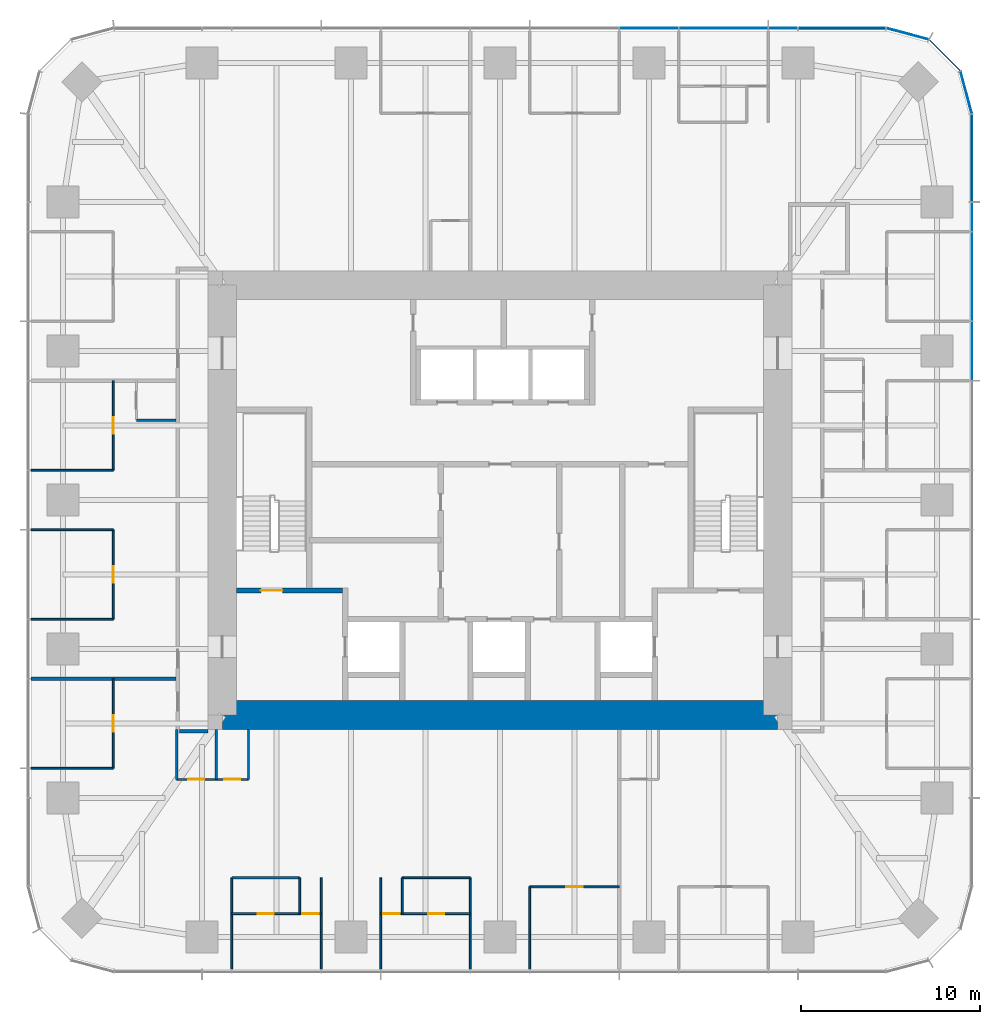
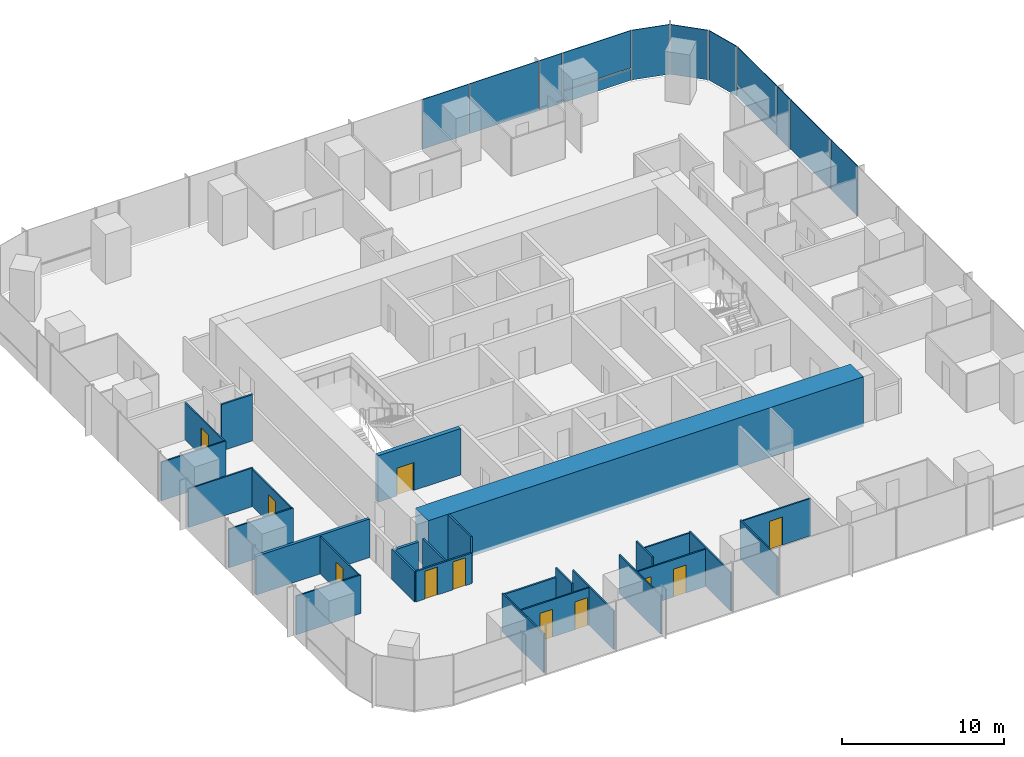
# One storey, part 8 of 12: 28 walls, 13 plates, 11 doors, 11 openings, 3 elements without a shape of their own.
"""IFC4 building model written with IfcOpenShell, lengths in metres."""

from ifc_helpers import new_model, si_unit, direction, frame, frame_2d, origin, origin_2d, place, context, subcontext, project, spatial, rectangle, extrude, material, layer, layer_set, type_object, element, fill, aggregate, save


model = new_model("IFC4")

# Units and contexts
model_context = context("Model", 3, precision=1e-05, world=origin(), true_north=direction((0.0, 1.0)))
body_context = subcontext(model_context, "Body", "Model", "MODEL_VIEW")
ifc_project = project(units=[si_unit("LENGTHUNIT", "METRE"), si_unit("AREAUNIT", "SQUARE_METRE"), si_unit("VOLUMEUNIT", "CUBIC_METRE"), si_unit("PLANEANGLEUNIT", "RADIAN"), si_unit("MASSUNIT", "GRAM", prefix="KILO")], contexts=[model_context])

# Site, building, storey
site_placement = place(None, origin())
site = spatial("IfcSite", under=ifc_project, at=site_placement, CompositionType="ELEMENT")
building_placement = place(site_placement, origin())
building = spatial("IfcBuilding", under=site, at=building_placement, Name="Khuree Lantern Residences", CompositionType="ELEMENT")
storey_placement = place(building_placement, frame((0.0, 0.0, 225.75)))
storey = spatial("IfcBuildingStorey", under=building, at=storey_placement, Name="L56", CompositionType="ELEMENT", Elevation=225.75)

# Curtain wall, plates
ifc_material_1 = material(Name="Bronze anodised aluminium", Category="aluminium")
curtain_wall_type_1 = type_object("IfcCurtainWallType", Name="CW-T2 TOWER CORNER CURTAIN WALL", PredefinedType="USERDEFINED", material=ifc_material_1)
curtain_wall_1_placement = place(storey_placement, origin())
curtain_wall_1 = element("IfcCurtainWall", 1, at=curtain_wall_1_placement, inside=storey, type_object=curtain_wall_type_1, Name="L56 NORTH-EAST CORNER CURTAIN WALL", ObjectType="Faceted corner curtain wall", PredefinedType="USERDEFINED")
ifc_material_2 = material(Name="Bronze tinted triple glazing", Category="glass")
ifc_layer_1 = layer(ifc_material_2, 0.048095703125)
ifc_layer_set_1 = layer_set([ifc_layer_1], Name="FACET PANEL P4")
plate_type_1 = type_object("IfcPlateType", Name="FACET PANEL P4", PredefinedType="CURTAIN_PANEL", material=ifc_layer_set_1)
plate_1_placement = place(storey_placement, frame((26.029052734375, 22.748046875, 0.0), z_axis=(0.0, 0.0, 1.0), x_axis=(-0.258819021888, 0.965925832509, 0.0)))
plate_1 = element("IfcPlate", 2, at=plate_1_placement, type_object=plate_type_1, Name="L56 NORTH-EAST CORNER PANEL 15.1", PredefinedType="CURTAIN_PANEL", context=body_context, shape_type="SweptSolid", body=[
    extrude(rectangle(XDim=2.40869140625, YDim=0.048095703125, at=origin_2d()), origin(), (0.0, 0.0, 1.0), 3.75),
])
plate_2_placement = place(storey_placement, frame((24.828369140625, 24.828369140625, 0.0), z_axis=(0.0, 0.0, 1.0), x_axis=(-0.707106781187, 0.707106781187, 0.0)))
plate_2 = element("IfcPlate", 3, at=plate_2_placement, type_object=plate_type_1, Name="L56 NORTH-EAST CORNER PANEL 16.1", PredefinedType="CURTAIN_PANEL", context=body_context, shape_type="SweptSolid", body=[
    extrude(rectangle(XDim=2.404541015625, YDim=0.048095703125, at=origin_2d()), origin(), (0.0, 0.0, 1.0), 3.75),
])
plate_3_placement = place(storey_placement, frame((22.748046875, 26.029052734375, 0.0), z_axis=(0.0, 0.0, 1.0), x_axis=(-0.965925832509, 0.258819021888, 0.0)))
plate_3 = element("IfcPlate", 4, at=plate_3_placement, type_object=plate_type_1, Name="L56 NORTH-EAST CORNER PANEL 17.1", PredefinedType="CURTAIN_PANEL", context=body_context, shape_type="SweptSolid", body=[
    extrude(rectangle(XDim=2.40869140625, YDim=0.048095703125, at=origin_2d()), origin(), (0.0, 0.0, 1.0), 3.75),
])
aggregate(curtain_wall_1, [plate_1, plate_2, plate_3])

# Curtain wall, plate
curtain_wall_type_2 = type_object("IfcCurtainWallType", Name="CW-T1 TOWER FACE CURTAIN WALL", PredefinedType="USERDEFINED", material=ifc_material_1)
curtain_wall_2_placement = place(storey_placement, origin())
curtain_wall_2 = element("IfcCurtainWall", 5, at=curtain_wall_2_placement, inside=storey, type_object=curtain_wall_type_2, Name="L56 EAST FACE CURTAIN WALL", ObjectType="Stick-built curtain wall", PredefinedType="USERDEFINED")
ifc_material_3 = material(Name="Bronze tinted triple glazing with a ceramic-fritted spandrel band", Category="glass")
ifc_layer_2 = layer(ifc_material_3, 0.048095703125)
ifc_layer_set_2 = layer_set([ifc_layer_2], Name="FIXED LIGHT PANEL P11")
plate_type_2 = type_object("IfcPlateType", Name="FIXED LIGHT PANEL P11", PredefinedType="CURTAIN_PANEL", material=ifc_layer_set_2)
plate_4_placement = place(storey_placement, frame((26.35009765625, 12.47998046875, 0.0), z_axis=(0.0, 0.0, 1.0), x_axis=(0.0, 1.0, 0.0)))
plate_4 = element("IfcPlate", 6, at=plate_4_placement, type_object=plate_type_2, Name="L56 EAST FACE PANEL 12.1", PredefinedType="CURTAIN_PANEL", context=body_context, shape_type="SweptSolid", body=[
    extrude(rectangle(XDim=4.927001953125, YDim=0.048095703125, at=origin_2d()), origin(), (0.0, 0.0, 1.0), 3.75),
])

curtain_wall_3_placement = place(storey_placement, origin())
curtain_wall_3 = element("IfcCurtainWall", 7, at=curtain_wall_3_placement, inside=storey, type_object=curtain_wall_type_2, Name="L56 NORTH FACE CURTAIN WALL", ObjectType="Stick-built curtain wall", PredefinedType="USERDEFINED")
plate_5_placement = place(storey_placement, frame((12.47998046875, 26.35009765625, 0.0), z_axis=(0.0, 0.0, 1.0), x_axis=(-1.0, 0.0, 0.0)))
plate_5 = element("IfcPlate", 8, at=plate_5_placement, type_object=plate_type_2, Name="L56 NORTH FACE PANEL 20.1", PredefinedType="CURTAIN_PANEL", context=body_context, shape_type="SweptSolid", body=[
    extrude(rectangle(XDim=4.927001953125, YDim=0.048095703125, at=origin_2d()), origin(), (0.0, 0.0, 1.0), 3.75),
])

# Plate
ifc_material_4 = material(Name="Bronze tinted triple glazing, two aluminium-framed sashes in one frame", Category="aluminium")
ifc_layer_3 = layer(ifc_material_4, 0.048095703125)
ifc_layer_set_3 = layer_set([ifc_layer_3], Name="SASH PAIR PANEL P12")
plate_type_3 = type_object("IfcPlateType", Name="SASH PAIR PANEL P12", PredefinedType="CURTAIN_PANEL", material=ifc_layer_set_3)
plate_6_placement = place(storey_placement, frame((26.35009765625, 8.320068359375, 0.0), z_axis=(0.0, 0.0, 1.0), x_axis=(0.0, 1.0, 0.0)))
plate_6 = element("IfcPlate", 9, at=plate_6_placement, type_object=plate_type_3, Name="L56 EAST FACE PANEL 11.1", PredefinedType="CURTAIN_PANEL", context=body_context, shape_type="SweptSolid", body=[
    extrude(rectangle(XDim=3.262939453125, YDim=0.048095703125, at=origin_2d()), origin(), (0.0, 0.0, 1.0), 3.75),
])

plate_7_placement = place(storey_placement, frame((8.320068359375, 26.35009765625, 0.0), z_axis=(0.0, 0.0, 1.0), x_axis=(-1.0, 0.0, 0.0)))
plate_7 = element("IfcPlate", 10, at=plate_7_placement, type_object=plate_type_3, Name="L56 NORTH FACE PANEL 21.1", PredefinedType="CURTAIN_PANEL", context=body_context, shape_type="SweptSolid", body=[
    extrude(rectangle(XDim=3.262939453125, YDim=0.048095703125, at=origin_2d()), origin(), (0.0, 0.0, 1.0), 3.75),
])

ifc_material_5 = material(Name="Bronze tinted triple glazing, aluminium-framed sash", Category="aluminium")
ifc_layer_4 = layer(ifc_material_5, 0.048095703125)
ifc_layer_set_4 = layer_set([ifc_layer_4], Name="SASH PANEL P3")
plate_type_4 = type_object("IfcPlateType", Name="SASH PANEL P3", PredefinedType="CURTAIN_PANEL", material=ifc_layer_set_4)
plate_8_placement = place(storey_placement, frame((26.35009765625, 15.80810546875, 0.0), z_axis=(0.0, 0.0, 1.0), x_axis=(0.0, 1.0, 0.0)))
plate_8 = element("IfcPlate", 11, at=plate_8_placement, type_object=plate_type_4, Name="L56 EAST FACE PANEL 13.1", PredefinedType="CURTAIN_PANEL", context=body_context, shape_type="SweptSolid", body=[
    extrude(rectangle(XDim=1.59912109375, YDim=0.048095703125, at=origin_2d()), origin(), (0.0, 0.0, 1.0), 3.75),
])

plate_9_placement = place(storey_placement, frame((15.80810546875, 26.35009765625, 0.0), z_axis=(0.0, 0.0, 1.0), x_axis=(-1.0, 0.0, 0.0)))
plate_9 = element("IfcPlate", 12, at=plate_9_placement, type_object=plate_type_4, Name="L56 NORTH FACE PANEL 19.1", PredefinedType="CURTAIN_PANEL", context=body_context, shape_type="SweptSolid", body=[
    extrude(rectangle(XDim=1.59912109375, YDim=0.048095703125, at=origin_2d()), origin(), (0.0, 0.0, 1.0), 3.75),
])

ifc_material_6 = material(Name="Bronze anodised aluminium insulated spandrel", Category="aluminium")
ifc_layer_5 = layer(ifc_material_6, 0.06005859375)
ifc_layer_set_5 = layer_set([ifc_layer_5], Name="SPANDREL PANEL P2")
plate_type_5 = type_object("IfcPlateType", Name="SPANDREL PANEL P2", PredefinedType="CURTAIN_PANEL", material=ifc_layer_set_5)
plate_10_placement = place(storey_placement, frame((26.35009765625, 19.0927734375, 0.0), z_axis=(0.0, 0.0, 1.0), x_axis=(0.0, 1.0, 0.0)))
plate_10 = element("IfcPlate", 13, at=plate_10_placement, type_object=plate_type_5, Name="L56 EAST FACE PANEL 14.1", PredefinedType="CURTAIN_PANEL", context=body_context, shape_type="SweptSolid", body=[
    extrude(rectangle(XDim=4.8408203125, YDim=0.06005859375, at=origin_2d()), origin(), (0.0, 0.0, 1.0), 0.867431640625),
])

plate_11_placement = place(storey_placement, frame((19.0927734375, 26.35009765625, 0.0), z_axis=(0.0, 0.0, 1.0), x_axis=(-1.0, 0.0, 0.0)))
plate_11 = element("IfcPlate", 14, at=plate_11_placement, type_object=plate_type_5, Name="L56 NORTH FACE PANEL 18.1", PredefinedType="CURTAIN_PANEL", context=body_context, shape_type="SweptSolid", body=[
    extrude(rectangle(XDim=4.8408203125, YDim=0.06005859375, at=origin_2d()), origin(), (0.0, 0.0, 1.0), 0.867431640625),
])

ifc_layer_6 = layer(ifc_material_2, 0.048095703125)
ifc_layer_set_6 = layer_set([ifc_layer_6], Name="VISION PANEL P1")
plate_type_6 = type_object("IfcPlateType", Name="VISION PANEL P1", PredefinedType="CURTAIN_PANEL", material=ifc_layer_set_6)
plate_12_placement = place(storey_placement, frame((26.35009765625, 19.09326171875, 0.9326171875), z_axis=(0.0, 0.0, 1.0), x_axis=(0.0, 1.0, 0.0)))
plate_12 = element("IfcPlate", 15, at=plate_12_placement, type_object=plate_type_6, Name="L56 EAST FACE PANEL 14.2", PredefinedType="CURTAIN_PANEL", context=body_context, shape_type="SweptSolid", body=[
    extrude(rectangle(XDim=4.841552734375, YDim=0.048095703125, at=origin_2d()), origin(), (0.0, 0.0, 1.0), 2.8173828125),
])

aggregate(curtain_wall_2, [plate_6, plate_4, plate_8, plate_10, plate_12])

plate_13_placement = place(storey_placement, frame((19.09326171875, 26.35009765625, 0.9326171875), z_axis=(0.0, 0.0, 1.0), x_axis=(-1.0, 0.0, 0.0)))
plate_13 = element("IfcPlate", 16, at=plate_13_placement, type_object=plate_type_6, Name="L56 NORTH FACE PANEL 18.2", PredefinedType="CURTAIN_PANEL", context=body_context, shape_type="SweptSolid", body=[
    extrude(rectangle(XDim=4.841552734375, YDim=0.048095703125, at=origin_2d()), origin(), (0.0, 0.0, 1.0), 2.8173828125),
])

aggregate(curtain_wall_3, [plate_11, plate_13, plate_9, plate_5, plate_7])

# Walls
ifc_material_7 = material(Name="Moisture-resistant gypsum board on steel studs", Category="steel")
ifc_layer_7 = layer(ifc_material_7, 0.125)
ifc_layer_set_7 = layer_set([ifc_layer_7], Name="BATHROOM WALL BTW125")
wall_type_1 = type_object("IfcWallType", Name="BATHROOM WALL BTW125", PredefinedType="PARTITIONING", material=ifc_layer_set_7)
wall_1_placement = place(storey_placement, frame((-18.10009765625, 4.4560546875, 0.0), z_axis=(0.0, 0.0, 1.0), x_axis=(-1.0, 0.0, 0.0)))
element("IfcWall", 17, at=wall_1_placement, inside=storey, type_object=wall_type_1, Name="L56 BATHROOM WALL 04", PredefinedType="PARTITIONING", context=body_context, shape_type="SweptSolid", body=[
    extrude(rectangle(XDim=2.199951171875, YDim=0.125, at=frame_2d((1.10009765625, 0.0))), origin(), (0.0, 0.0, 1.0), 3.5),
])
wall_2_placement = place(storey_placement, frame((-14.97607421875, -21.094970703125, 0.0), z_axis=(0.0, 0.0, 1.0), x_axis=(1.0, 0.0, 0.0)))
element("IfcWall", 18, at=wall_2_placement, inside=storey, type_object=wall_type_1, Name="L56 BATHROOM WALL 05", PredefinedType="PARTITIONING", context=body_context, shape_type="SweptSolid", body=[
    extrude(rectangle(XDim=3.7919921875, YDim=0.125, at=frame_2d((1.89599609375, 0.0))), origin(), (0.0, 0.0, 1.0), 2.81005859375),
])

# Wall, openings, doors
wall_3_placement = place(storey_placement, frame((-18.050048828125, -15.60009765625, 0.0), z_axis=(0.0, 0.0, 1.0), x_axis=(1.0, 0.0, 0.0)))
wall_3 = element("IfcWall", 19, at=wall_3_placement, inside=storey, type_object=wall_type_1, Name="L56 BATHROOM WALL 05", PredefinedType="PARTITIONING", context=body_context, shape_type="SweptSolid", body=[
    extrude(rectangle(XDim=4.0, YDim=0.125, at=frame_2d((2.0, 0.0))), origin(), (0.0, 0.0, 1.0), 2.300048828125),
])
opening_1_placement = place(wall_3_placement, frame((0.64990234375, 0.0, 0.0)))
opening_1 = element("IfcOpeningElement", 20, at=opening_1_placement, cuts=wall_3, Name="Opening 56-048", PredefinedType="OPENING", context=body_context, shape_type="SweptSolid", body=[
    extrude(rectangle(XDim=0.89990234375, YDim=2.10009765625, at=frame_2d((0.449951171875, 1.050048828125))), frame((0.0, 0.072509765625, 0.0), z_axis=(0.0, -1.0, 0.0), x_axis=(1.0, 0.0, 0.0)), (0.0, 0.0, 1.0), 0.14501953125),
])
opening_2_placement = place(wall_3_placement, frame((2.64990234375, 0.0, 0.0)))
opening_2 = element("IfcOpeningElement", 21, at=opening_2_placement, cuts=wall_3, Name="Opening 56-049", PredefinedType="OPENING", context=body_context, shape_type="SweptSolid", body=[
    extrude(rectangle(XDim=0.89990234375, YDim=2.10009765625, at=frame_2d((0.449951171875, 1.050048828125))), frame((0.0, 0.072509765625, 0.0), z_axis=(0.0, -1.0, 0.0), x_axis=(1.0, 0.0, 0.0)), (0.0, 0.0, 1.0), 0.14501953125),
])
ifc_material_8 = material(Name="Timber door leaf in hardwood frame", Category="wood")
door_type_1 = type_object("IfcDoorType", Name="BATHROOM DOOR 900X2100", OperationType="SINGLE_SWING_LEFT", PredefinedType="DOOR", material=ifc_material_8)
door_1_placement = place(opening_1_placement, origin())
door_1 = element("IfcDoor", 22, at=door_1_placement, inside=storey, type_object=door_type_1, Name="Bathroom door 56-048", OperationType="SINGLE_SWING_LEFT", OverallHeight=2.10009765625, OverallWidth=0.89990234375, PredefinedType="DOOR", context=body_context, shape_type="SweptSolid", body=[
    extrude(rectangle(XDim=0.89990234375, YDim=2.10009765625, at=frame_2d((0.449951171875, 1.050048828125))), frame((0.0, 0.02490234375, 0.0), z_axis=(0.0, -1.0, 0.0), x_axis=(1.0, 0.0, 0.0)), (0.0, 0.0, 1.0), 0.050048828125),
])
fill(opening_1, door_1)
door_type_2 = type_object("IfcDoorType", Name="DOOR 900X2100", OperationType="SINGLE_SWING_LEFT", PredefinedType="DOOR", material=ifc_material_8)
door_2_placement = place(opening_2_placement, origin())
door_2 = element("IfcDoor", 23, at=door_2_placement, inside=storey, type_object=door_type_2, Name="Store door 56-049", OperationType="SINGLE_SWING_LEFT", OverallHeight=2.10009765625, OverallWidth=0.89990234375, PredefinedType="DOOR", context=body_context, shape_type="SweptSolid", body=[
    extrude(rectangle(XDim=0.89990234375, YDim=2.10009765625, at=frame_2d((0.449951171875, 1.050048828125))), frame((0.0, 0.02490234375, 0.0), z_axis=(0.0, -1.0, 0.0), x_axis=(1.0, 0.0, 0.0)), (0.0, 0.0, 1.0), 0.050048828125),
])
fill(opening_2, door_2)

# Walls
for number, where, z_axis, x_axis, name in (
    (24, (-18.050048828125, -12.800048828125, 0.0), (0.0, 0.0, 1.0), (0.0, -1.0, 0.0), "L56 BATHROOM WALL 05"),
    (25, (-15.85009765625, -12.800048828125, 0.0), (0.0, 0.0, 1.0), (0.0, -1.0, 0.0), "L56 BATHROOM WALL 05"),
):
    element("IfcWall", number, at=place(storey_placement, frame(where, z_axis=z_axis, x_axis=x_axis)), inside=storey, type_object=wall_type_1, Name=name, PredefinedType="PARTITIONING", context=body_context, shape_type="SweptSolid", body=[
        extrude(rectangle(XDim=2.800048828125, YDim=0.125, at=frame_2d((1.39990234375, 0.0))), origin(), (0.0, 0.0, 1.0), 2.300048828125),
    ])
wall_4_placement = place(storey_placement, frame((-14.050048828125, -12.800048828125, 0.0), z_axis=(0.0, 0.0, 1.0), x_axis=(0.0, -1.0, 0.0)))
element("IfcWall", 26, at=wall_4_placement, inside=storey, type_object=wall_type_1, Name="L56 BATHROOM WALL 05", PredefinedType="PARTITIONING", context=body_context, shape_type="SweptSolid", body=[
    extrude(rectangle(XDim=2.800048828125, YDim=0.125, at=frame_2d((1.39990234375, 0.0))), origin(), (0.0, 0.0, 1.0), 3.5),
])
ifc_material_9 = material(Name="Gypsum board on steel studs", Category="steel")
ifc_layer_8 = layer(ifc_material_9, 0.199951171875)
ifc_layer_set_8 = layer_set([ifc_layer_8], Name="CORRIDOR WALL CRW200 EI 60")
wall_type_2 = type_object("IfcWallType", Name="CORRIDOR WALL CRW200 EI 60", PredefinedType="PARTITIONING", material=ifc_layer_set_8)
wall_5_placement = place(storey_placement, frame((-16.300048828125, -12.89990234375, 0.0), z_axis=(0.0, 0.0, 1.0), x_axis=(-1.0, 0.0, 0.0)))
element("IfcWall", 27, at=wall_5_placement, inside=storey, type_object=wall_type_2, Name="L56 WEST CORRIDOR SOUTH END WALL", PredefinedType="PARTITIONING", context=body_context, shape_type="SweptSolid", body=[
    extrude(rectangle(XDim=1.599853515625, YDim=0.199951171875, at=frame_2d((0.7998046875, 0.0))), origin(), (0.0, 0.0, 1.0), 2.300048828125),
])
ifc_material_10 = material(Name="Concrete C50/60", Category="concrete")
ifc_layer_9 = layer(ifc_material_10, 1.60009765625)
ifc_layer_set_9 = layer_set([ifc_layer_9], Name="CW1600-C50 CORE WALL C50 1600")
wall_type_3 = type_object("IfcWallType", Name="CW1600-C50 CORE WALL C50 1600", PredefinedType="SHEAR", material=ifc_layer_set_9)
wall_6_placement = place(storey_placement, frame((-15.5, -12.0, -0.25), z_axis=(0.0, 0.0, 1.0), x_axis=(1.0, 0.0, 0.0)))
element("IfcWall", 28, at=wall_6_placement, inside=storey, type_object=wall_type_3, Name="Core wall S", PredefinedType="SHEAR", context=body_context, shape_type="SweptSolid", body=[
    extrude(rectangle(XDim=31.0, YDim=1.60009765625, at=frame_2d((15.5, 0.0))), origin(), (0.0, 0.0, 1.0), 3.75),
])
ifc_layer_10 = layer(ifc_material_9, 0.199951171875)
ifc_layer_set_10 = layer_set([ifc_layer_10], Name="DEMISING WALL DMW200 EI 90")
wall_type_4 = type_object("IfcWallType", Name="DEMISING WALL DMW200 EI 90", PredefinedType="PARTITIONING", material=ifc_layer_set_10)
wall_7_placement = place(storey_placement, frame((-18.10009765625, -9.98388671875, 0.0), z_axis=(0.0, 0.0, 1.0), x_axis=(-1.0, 0.0, 0.0)))
element("IfcWall", 29, at=wall_7_placement, inside=storey, type_object=wall_type_4, Name="L56 DEMISING WALL 05", PredefinedType="PARTITIONING", context=body_context, shape_type="SweptSolid", body=[
    extrude(rectangle(XDim=8.099853515625, YDim=0.199951171875, at=frame_2d((4.0498046875, 0.0))), origin(), (0.0, 0.0, 1.0), 2.909912109375),
])
ifc_layer_11 = layer(ifc_material_9, 0.10009765625)
ifc_layer_set_11 = layer_set([ifc_layer_11], Name="PARTITION PT100")
wall_type_5 = type_object("IfcWallType", Name="PARTITION PT100", PredefinedType="PARTITIONING", material=ifc_layer_set_11)
for number, where, z_axis, x_axis, name in (
    (30, (-21.60009765625, 1.6640625, 0.0), (0.0, 0.0, 1.0), (-1.0, 0.0, 0.0), "L56 PARTITION 04"),
    (31, (-21.60009765625, -1.6640625, 0.0), (0.0, 0.0, 1.0), (-1.0, 0.0, 0.0), "L56 PARTITION 04"),
    (32, (-21.60009765625, -6.656005859375, 0.0), (0.0, 0.0, 1.0), (-1.0, 0.0, 0.0), "L56 PARTITION 04"),
    (33, (-21.60009765625, -14.97607421875, 0.0), (0.0, 0.0, 1.0), (-1.0, 0.0, 0.0), "L56 PARTITION 05"),
):
    element("IfcWall", number, at=place(storey_placement, frame(where, z_axis=z_axis, x_axis=x_axis)), inside=storey, type_object=wall_type_5, Name=name, PredefinedType="PARTITIONING", context=body_context, shape_type="SweptSolid", body=[
        extrude(rectangle(XDim=4.599853515625, YDim=0.10009765625, at=frame_2d((2.2998046875, 0.0))), origin(), (0.0, 0.0, 1.0), 2.909912109375),
    ])
for number, where, z_axis, x_axis, name in (
    (34, (-14.97607421875, -21.094970703125, 0.0), (0.0, 0.0, 1.0), (0.0, -1.0, 0.0), "L56 PARTITION 05"),
    (35, (-9.98388671875, -21.094970703125, 0.0), (0.0, 0.0, 1.0), (0.0, -1.0, 0.0), "L56 PARTITION 05"),
    (36, (-6.656005859375, -21.094970703125, 0.0), (0.0, 0.0, 1.0), (0.0, -1.0, 0.0), "L56 PARTITION 05"),
    (37, (-1.6640625, -21.094970703125, 0.0), (0.0, 0.0, 1.0), (0.0, -1.0, 0.0), "L56 PARTITION 05"),
):
    element("IfcWall", number, at=place(storey_placement, frame(where, z_axis=z_axis, x_axis=x_axis)), inside=storey, type_object=wall_type_5, Name=name, PredefinedType="PARTITIONING", context=body_context, shape_type="SweptSolid", body=[
        extrude(rectangle(XDim=5.10498046875, YDim=0.10009765625, at=frame_2d((2.552490234375, 0.0))), origin(), (0.0, 0.0, 1.0), 2.909912109375),
    ])
wall_8_placement = place(storey_placement, frame((1.6640625, -21.60009765625, 0.0), z_axis=(0.0, 0.0, 1.0), x_axis=(0.0, -1.0, 0.0)))
element("IfcWall", 38, at=wall_8_placement, inside=storey, type_object=wall_type_5, Name="L56 PARTITION 05", PredefinedType="PARTITIONING", context=body_context, shape_type="SweptSolid", body=[
    extrude(rectangle(XDim=4.599853515625, YDim=0.10009765625, at=frame_2d((2.2998046875, 0.0))), origin(), (0.0, 0.0, 1.0), 2.909912109375),
])

# Wall, opening, door
wall_9_placement = place(storey_placement, frame((-21.60009765625, 6.656005859375, 0.0), z_axis=(0.0, 0.0, 1.0), x_axis=(0.0, -1.0, 0.0)))
wall_9 = element("IfcWall", 39, at=wall_9_placement, inside=storey, type_object=wall_type_5, Name="L56 PARTITION 04", PredefinedType="PARTITIONING", context=body_context, shape_type="SweptSolid", body=[
    extrude(rectangle(XDim=4.991943359375, YDim=0.10009765625, at=frame_2d((2.49609375, 0.0))), origin(), (0.0, 0.0, 1.0), 2.81005859375),
])
opening_3_placement = place(wall_9_placement, frame((2.0458984375, 0.0, 0.0)))
opening_3 = element("IfcOpeningElement", 40, at=opening_3_placement, cuts=wall_9, Name="Opening 56-038", PredefinedType="OPENING", context=body_context, shape_type="SweptSolid", body=[
    extrude(rectangle(XDim=0.89990234375, YDim=2.10009765625, at=frame_2d((0.449951171875, 1.050048828125))), frame((0.0, 0.06005859375, 0.0), z_axis=(0.0, -1.0, 0.0), x_axis=(1.0, 0.0, 0.0)), (0.0, 0.0, 1.0), 0.1201171875),
])
door_type_3 = type_object("IfcDoorType", Name="BEDROOM DOOR 900X2100", OperationType="SINGLE_SWING_LEFT", PredefinedType="DOOR", material=ifc_material_8)
door_3_placement = place(opening_3_placement, origin())
door_3 = element("IfcDoor", 41, at=door_3_placement, inside=storey, type_object=door_type_3, Name="Bedroom door 56-038", OperationType="SINGLE_SWING_LEFT", OverallHeight=2.10009765625, OverallWidth=0.89990234375, PredefinedType="DOOR", context=body_context, shape_type="SweptSolid", body=[
    extrude(rectangle(XDim=0.89990234375, YDim=2.10009765625, at=frame_2d((0.449951171875, 1.050048828125))), frame((0.0, 0.02490234375, 0.0), z_axis=(0.0, -1.0, 0.0), x_axis=(1.0, 0.0, 0.0)), (0.0, 0.0, 1.0), 0.050048828125),
])
fill(opening_3, door_3)

wall_10_placement = place(storey_placement, frame((-21.60009765625, -1.6640625, 0.0), z_axis=(0.0, 0.0, 1.0), x_axis=(0.0, -1.0, 0.0)))
wall_10 = element("IfcWall", 42, at=wall_10_placement, inside=storey, type_object=wall_type_5, Name="L56 PARTITION 04", PredefinedType="PARTITIONING", context=body_context, shape_type="SweptSolid", body=[
    extrude(rectangle(XDim=4.991943359375, YDim=0.10009765625, at=frame_2d((2.49609375, 0.0))), origin(), (0.0, 0.0, 1.0), 2.81005859375),
])
opening_4_placement = place(wall_10_placement, frame((2.0458984375, 0.0, 0.0)))
opening_4 = element("IfcOpeningElement", 43, at=opening_4_placement, cuts=wall_10, Name="Opening 56-039", PredefinedType="OPENING", context=body_context, shape_type="SweptSolid", body=[
    extrude(rectangle(XDim=0.89990234375, YDim=2.10009765625, at=frame_2d((0.449951171875, 1.050048828125))), frame((0.0, 0.06005859375, 0.0), z_axis=(0.0, -1.0, 0.0), x_axis=(1.0, 0.0, 0.0)), (0.0, 0.0, 1.0), 0.1201171875),
])
door_4_placement = place(opening_4_placement, origin())
door_4 = element("IfcDoor", 44, at=door_4_placement, inside=storey, type_object=door_type_3, Name="Bedroom door 56-039", OperationType="SINGLE_SWING_LEFT", OverallHeight=2.10009765625, OverallWidth=0.89990234375, PredefinedType="DOOR", context=body_context, shape_type="SweptSolid", body=[
    extrude(rectangle(XDim=0.89990234375, YDim=2.10009765625, at=frame_2d((0.449951171875, 1.050048828125))), frame((0.0, 0.02490234375, 0.0), z_axis=(0.0, -1.0, 0.0), x_axis=(1.0, 0.0, 0.0)), (0.0, 0.0, 1.0), 0.050048828125),
])
fill(opening_4, door_4)

wall_11_placement = place(storey_placement, frame((-21.60009765625, -9.98388671875, 0.0), z_axis=(0.0, 0.0, 1.0), x_axis=(0.0, -1.0, 0.0)))
wall_11 = element("IfcWall", 45, at=wall_11_placement, inside=storey, type_object=wall_type_5, Name="L56 PARTITION 05", PredefinedType="PARTITIONING", context=body_context, shape_type="SweptSolid", body=[
    extrude(rectangle(XDim=4.9921875, YDim=0.10009765625, at=frame_2d((2.49609375, 0.0))), origin(), (0.0, 0.0, 1.0), 2.81005859375),
])
opening_5_placement = place(wall_11_placement, frame((2.0458984375, 0.0, 0.0)))
opening_5 = element("IfcOpeningElement", 46, at=opening_5_placement, cuts=wall_11, Name="Opening 56-042", PredefinedType="OPENING", context=body_context, shape_type="SweptSolid", body=[
    extrude(rectangle(XDim=0.89990234375, YDim=2.10009765625, at=frame_2d((0.449951171875, 1.050048828125))), frame((0.0, 0.06005859375, 0.0), z_axis=(0.0, -1.0, 0.0), x_axis=(1.0, 0.0, 0.0)), (0.0, 0.0, 1.0), 0.1201171875),
])
door_5_placement = place(opening_5_placement, origin())
door_5 = element("IfcDoor", 47, at=door_5_placement, inside=storey, type_object=door_type_3, Name="Bedroom door 56-042", OperationType="SINGLE_SWING_LEFT", OverallHeight=2.10009765625, OverallWidth=0.89990234375, PredefinedType="DOOR", context=body_context, shape_type="SweptSolid", body=[
    extrude(rectangle(XDim=0.89990234375, YDim=2.10009765625, at=frame_2d((0.449951171875, 1.050048828125))), frame((0.0, 0.02490234375, 0.0), z_axis=(0.0, -1.0, 0.0), x_axis=(1.0, 0.0, 0.0)), (0.0, 0.0, 1.0), 0.050048828125),
])
fill(opening_5, door_5)

# Wall, openings, doors
wall_12_placement = place(storey_placement, frame((-14.97607421875, -23.094970703125, 0.0), z_axis=(0.0, 0.0, 1.0), x_axis=(1.0, 0.0, 0.0)))
wall_12 = element("IfcWall", 48, at=wall_12_placement, inside=storey, type_object=wall_type_5, Name="L56 PARTITION 05", PredefinedType="PARTITIONING", context=body_context, shape_type="SweptSolid", body=[
    extrude(rectangle(XDim=4.9921875, YDim=0.10009765625, at=frame_2d((2.49609375, 0.0))), origin(), (0.0, 0.0, 1.0), 2.81005859375),
])
opening_6_placement = place(wall_12_placement, frame((3.94189453125, 0.0, 0.0)))
opening_6 = element("IfcOpeningElement", 49, at=opening_6_placement, cuts=wall_12, Name="Opening 56-043", PredefinedType="OPENING", context=body_context, shape_type="SweptSolid", body=[
    extrude(rectangle(XDim=0.89990234375, YDim=2.10009765625, at=frame_2d((0.449951171875, 1.050048828125))), frame((0.0, 0.06005859375, 0.0), z_axis=(0.0, -1.0, 0.0), x_axis=(1.0, 0.0, 0.0)), (0.0, 0.0, 1.0), 0.1201171875),
])
opening_7_placement = place(wall_12_placement, frame((1.446044921875, 0.0, 0.0)))
opening_7 = element("IfcOpeningElement", 50, at=opening_7_placement, cuts=wall_12, Name="Opening 56-044", PredefinedType="OPENING", context=body_context, shape_type="SweptSolid", body=[
    extrude(rectangle(XDim=0.89990234375, YDim=2.10009765625, at=frame_2d((0.449951171875, 1.050048828125))), frame((0.0, 0.06005859375, 0.0), z_axis=(0.0, -1.0, 0.0), x_axis=(1.0, 0.0, 0.0)), (0.0, 0.0, 1.0), 0.1201171875),
])
door_6_placement = place(opening_7_placement, origin())
door_6 = element("IfcDoor", 51, at=door_6_placement, inside=storey, type_object=door_type_1, Name="Bathroom door 56-044", OperationType="SINGLE_SWING_LEFT", OverallHeight=2.10009765625, OverallWidth=0.89990234375, PredefinedType="DOOR", context=body_context, shape_type="SweptSolid", body=[
    extrude(rectangle(XDim=0.89990234375, YDim=2.10009765625, at=frame_2d((0.449951171875, 1.050048828125))), frame((0.0, 0.02490234375, 0.0), z_axis=(0.0, -1.0, 0.0), x_axis=(1.0, 0.0, 0.0)), (0.0, 0.0, 1.0), 0.050048828125),
])
fill(opening_7, door_6)
door_7_placement = place(opening_6_placement, origin())
door_7 = element("IfcDoor", 52, at=door_7_placement, inside=storey, type_object=door_type_3, Name="Bedroom door 56-043", OperationType="SINGLE_SWING_LEFT", OverallHeight=2.10009765625, OverallWidth=0.89990234375, PredefinedType="DOOR", context=body_context, shape_type="SweptSolid", body=[
    extrude(rectangle(XDim=0.89990234375, YDim=2.10009765625, at=frame_2d((0.449951171875, 1.050048828125))), frame((0.0, 0.02490234375, 0.0), z_axis=(0.0, -1.0, 0.0), x_axis=(1.0, 0.0, 0.0)), (0.0, 0.0, 1.0), 0.050048828125),
])
fill(opening_6, door_7)

# Wall
wall_13_placement = place(storey_placement, frame((-11.18408203125, -21.094970703125, 0.0), z_axis=(0.0, 0.0, 1.0), x_axis=(0.0, -1.0, 0.0)))
element("IfcWall", 53, at=wall_13_placement, inside=storey, type_object=wall_type_5, Name="L56 PARTITION 05", PredefinedType="PARTITIONING", context=body_context, shape_type="SweptSolid", body=[
    extrude(rectangle(XDim=2.0, YDim=0.10009765625, at=frame_2d((1.0, 0.0))), origin(), (0.0, 0.0, 1.0), 3.5),
])

# Wall, openings, doors
wall_14_placement = place(storey_placement, frame((-6.656005859375, -23.094970703125, 0.0), z_axis=(0.0, 0.0, 1.0), x_axis=(1.0, 0.0, 0.0)))
wall_14 = element("IfcWall", 54, at=wall_14_placement, inside=storey, type_object=wall_type_5, Name="L56 PARTITION 05", PredefinedType="PARTITIONING", context=body_context, shape_type="SweptSolid", body=[
    extrude(rectangle(XDim=4.991943359375, YDim=0.10009765625, at=frame_2d((2.49609375, 0.0))), origin(), (0.0, 0.0, 1.0), 2.81005859375),
])
opening_8_placement = place(wall_14_placement, frame((0.14990234375, 0.0, 0.0)))
opening_8 = element("IfcOpeningElement", 55, at=opening_8_placement, cuts=wall_14, Name="Opening 56-045", PredefinedType="OPENING", context=body_context, shape_type="SweptSolid", body=[
    extrude(rectangle(XDim=0.89990234375, YDim=2.10009765625, at=frame_2d((0.449951171875, 1.050048828125))), frame((0.0, 0.06005859375, 0.0), z_axis=(0.0, -1.0, 0.0), x_axis=(1.0, 0.0, 0.0)), (0.0, 0.0, 1.0), 0.1201171875),
])
opening_9_placement = place(wall_14_placement, frame((2.64599609375, 0.0, 0.0)))
opening_9 = element("IfcOpeningElement", 56, at=opening_9_placement, cuts=wall_14, Name="Opening 56-046", PredefinedType="OPENING", context=body_context, shape_type="SweptSolid", body=[
    extrude(rectangle(XDim=0.89990234375, YDim=2.10009765625, at=frame_2d((0.449951171875, 1.050048828125))), frame((0.0, 0.06005859375, 0.0), z_axis=(0.0, -1.0, 0.0), x_axis=(1.0, 0.0, 0.0)), (0.0, 0.0, 1.0), 0.1201171875),
])
door_8_placement = place(opening_8_placement, origin())
door_8 = element("IfcDoor", 57, at=door_8_placement, inside=storey, type_object=door_type_3, Name="Bedroom door 56-045", OperationType="SINGLE_SWING_LEFT", OverallHeight=2.10009765625, OverallWidth=0.89990234375, PredefinedType="DOOR", context=body_context, shape_type="SweptSolid", body=[
    extrude(rectangle(XDim=0.89990234375, YDim=2.10009765625, at=frame_2d((0.449951171875, 1.050048828125))), frame((0.0, 0.02490234375, 0.0), z_axis=(0.0, -1.0, 0.0), x_axis=(1.0, 0.0, 0.0)), (0.0, 0.0, 1.0), 0.050048828125),
])
fill(opening_8, door_8)
door_9_placement = place(opening_9_placement, origin())
door_9 = element("IfcDoor", 58, at=door_9_placement, inside=storey, type_object=door_type_2, Name="Wardrobe door 56-046", OperationType="SINGLE_SWING_LEFT", OverallHeight=2.10009765625, OverallWidth=0.89990234375, PredefinedType="DOOR", context=body_context, shape_type="SweptSolid", body=[
    extrude(rectangle(XDim=0.89990234375, YDim=2.10009765625, at=frame_2d((0.449951171875, 1.050048828125))), frame((0.0, 0.02490234375, 0.0), z_axis=(0.0, -1.0, 0.0), x_axis=(1.0, 0.0, 0.0)), (0.0, 0.0, 1.0), 0.050048828125),
])
fill(opening_9, door_9)

# Walls
wall_15_placement = place(storey_placement, frame((-5.4560546875, -21.094970703125, 0.0), z_axis=(0.0, 0.0, 1.0), x_axis=(0.0, -1.0, 0.0)))
element("IfcWall", 59, at=wall_15_placement, inside=storey, type_object=wall_type_5, Name="L56 PARTITION 05", PredefinedType="PARTITIONING", context=body_context, shape_type="SweptSolid", body=[
    extrude(rectangle(XDim=2.0, YDim=0.10009765625, at=frame_2d((1.0, 0.0))), origin(), (0.0, 0.0, 1.0), 3.5),
])
wall_16_placement = place(storey_placement, frame((-5.4560546875, -21.094970703125, 0.0), z_axis=(0.0, 0.0, 1.0), x_axis=(1.0, 0.0, 0.0)))
element("IfcWall", 60, at=wall_16_placement, inside=storey, type_object=wall_type_5, Name="L56 PARTITION 05", PredefinedType="PARTITIONING", context=body_context, shape_type="SweptSolid", body=[
    extrude(rectangle(XDim=3.7919921875, YDim=0.10009765625, at=frame_2d((1.89599609375, 0.0))), origin(), (0.0, 0.0, 1.0), 2.81005859375),
])

# Wall, opening, door
wall_17_placement = place(storey_placement, frame((1.6640625, -21.60009765625, 0.0), z_axis=(0.0, 0.0, 1.0), x_axis=(1.0, 0.0, 0.0)))
wall_17 = element("IfcWall", 61, at=wall_17_placement, inside=storey, type_object=wall_type_5, Name="L56 PARTITION 05", PredefinedType="PARTITIONING", context=body_context, shape_type="SweptSolid", body=[
    extrude(rectangle(XDim=4.991943359375, YDim=0.10009765625, at=frame_2d((2.49609375, 0.0))), origin(), (0.0, 0.0, 1.0), 2.81005859375),
])
opening_10_placement = place(wall_17_placement, frame((2.0458984375, 0.0, 0.0)))
opening_10 = element("IfcOpeningElement", 62, at=opening_10_placement, cuts=wall_17, Name="Opening 56-047", PredefinedType="OPENING", context=body_context, shape_type="SweptSolid", body=[
    extrude(rectangle(XDim=0.89990234375, YDim=2.10009765625, at=frame_2d((0.449951171875, 1.050048828125))), frame((0.0, 0.06005859375, 0.0), z_axis=(0.0, -1.0, 0.0), x_axis=(1.0, 0.0, 0.0)), (0.0, 0.0, 1.0), 0.1201171875),
])
door_type_4 = type_object("IfcDoorType", Name="BEDROOM DOOR 900X2100 RIGHT HAND", OperationType="SINGLE_SWING_RIGHT", PredefinedType="DOOR", material=ifc_material_8)
door_10_placement = place(opening_10_placement, origin())
door_10 = element("IfcDoor", 63, at=door_10_placement, inside=storey, type_object=door_type_4, Name="Bedroom door 56-047", OperationType="SINGLE_SWING_RIGHT", OverallHeight=2.10009765625, OverallWidth=0.89990234375, PredefinedType="DOOR", context=body_context, shape_type="SweptSolid", body=[
    extrude(rectangle(XDim=0.89990234375, YDim=2.10009765625, at=frame_2d((0.449951171875, 1.050048828125))), frame((0.0, 0.02490234375, 0.0), z_axis=(0.0, -1.0, 0.0), x_axis=(1.0, 0.0, 0.0)), (0.0, 0.0, 1.0), 0.050048828125),
])
fill(opening_10, door_10)

ifc_layer_12 = layer(ifc_material_10, 0.300048828125)
ifc_layer_set_12 = layer_set([ifc_layer_12], Name="STAIR WALL SRW300 C50/60 REI 240")
wall_type_6 = type_object("IfcWallType", Name="STAIR WALL SRW300 C50/60 REI 240", PredefinedType="SOLIDWALL", material=ifc_layer_set_12)
wall_18_placement = place(storey_placement, frame((-14.699951171875, -5.050048828125, 0.0), z_axis=(0.0, 0.0, 1.0), x_axis=(1.0, 0.0, 0.0)))
wall_18 = element("IfcWall", 64, at=wall_18_placement, inside=storey, type_object=wall_type_6, Name="L56 STAIR WALL ST1S", PredefinedType="SOLIDWALL", context=body_context, shape_type="SweptSolid", body=[
    extrude(rectangle(XDim=5.89990234375, YDim=0.300048828125, at=frame_2d((2.949951171875, 0.0))), origin(), (0.0, 0.0, 1.0), 3.5),
])
opening_11_placement = place(wall_18_placement, frame((1.35009765625, 0.0, 0.0)))
opening_11 = element("IfcOpeningElement", 65, at=opening_11_placement, cuts=wall_18, Name="Opening 56-001", PredefinedType="OPENING", context=body_context, shape_type="SweptSolid", body=[
    extrude(rectangle(XDim=1.199951171875, YDim=2.10009765625, at=frame_2d((0.60009765625, 1.050048828125))), frame((0.0, 0.16015625, 0.0), z_axis=(0.0, -1.0, 0.0), x_axis=(1.0, 0.0, 0.0)), (0.0, 0.0, 1.0), 0.320068359375),
])
ifc_material_11 = material(Name="Steel door leaf in steel frame", Category="steel")
door_type_5 = type_object("IfcDoorType", Name="STAIR DOOR 1200X2100 EI 120", OperationType="SINGLE_SWING_LEFT", PredefinedType="DOOR", material=ifc_material_11)
door_11_placement = place(opening_11_placement, origin())
door_11 = element("IfcDoor", 66, at=door_11_placement, inside=storey, type_object=door_type_5, Name="Stair ST1 door 56-001", OperationType="SINGLE_SWING_LEFT", OverallHeight=2.10009765625, OverallWidth=1.199951171875, PredefinedType="DOOR", context=body_context, shape_type="SweptSolid", body=[
    extrude(rectangle(XDim=1.199951171875, YDim=2.10009765625, at=frame_2d((0.60009765625, 1.050048828125))), frame((0.0, 0.02490234375, 0.0), z_axis=(0.0, -1.0, 0.0), x_axis=(1.0, 0.0, 0.0)), (0.0, 0.0, 1.0), 0.050048828125),
])
fill(opening_11, door_11)

save(model, "model.ifc")
